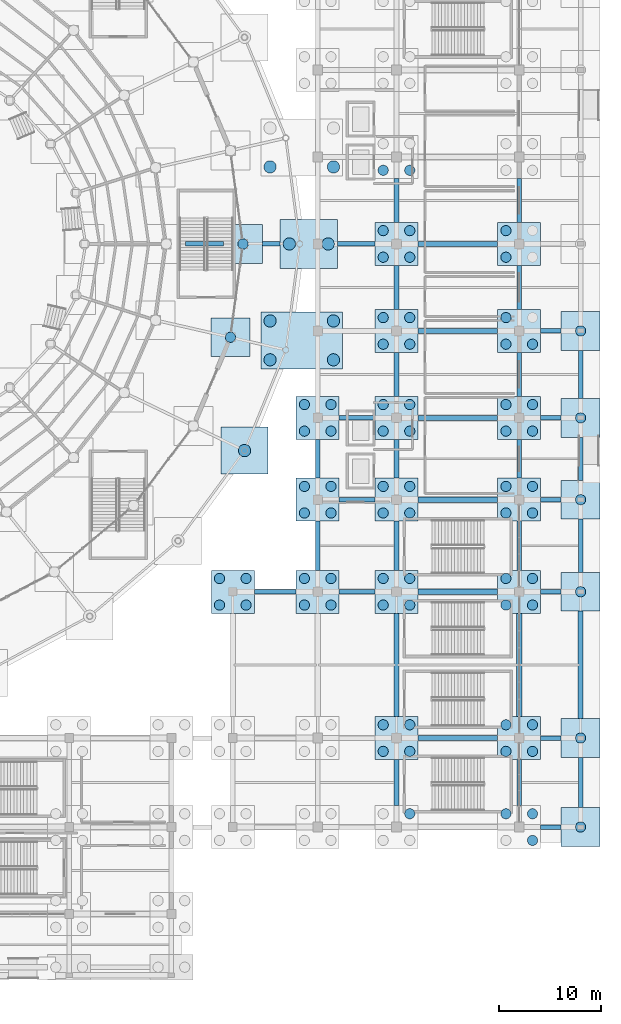
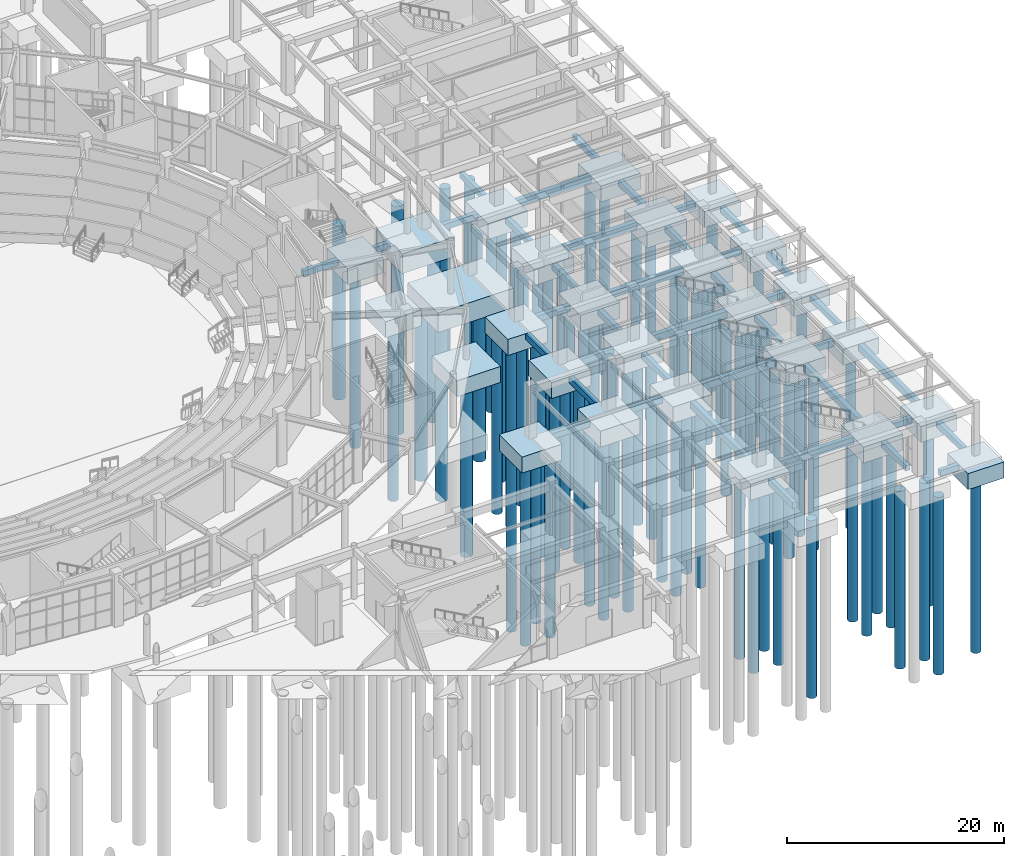
# One storey, part 6 of 121: 84 piles, 67 footings.
"""IFC4 building model written with IfcOpenShell, lengths in metres."""

from ifc_helpers import new_model, si_unit, direction, frame, origin, origin_2d, place, context, subcontext, project, spatial, rectangle, circle, extrude, material, material_profile, profile_set, type_object, element, save


model = new_model("IFC4")

# Units and contexts
model_context = context("Model", 3, precision=1e-05, world=origin(), true_north=direction((0.0, 1.0)))
body_context = subcontext(model_context, "Body", "Model", "MODEL_VIEW")
ifc_project = project(units=[si_unit("LENGTHUNIT", "METRE"), si_unit("AREAUNIT", "SQUARE_METRE"), si_unit("VOLUMEUNIT", "CUBIC_METRE"), si_unit("PLANEANGLEUNIT", "RADIAN"), si_unit("MASSUNIT", "GRAM", prefix="KILO")], contexts=[model_context])

# Site, building, storey
site_placement = place(None, origin())
site = spatial("IfcSite", under=ifc_project, at=site_placement, CompositionType="ELEMENT")
building_placement = place(site_placement, origin())
building = spatial("IfcBuilding", under=site, at=building_placement, Name="Cuetzalor Civic Arena", CompositionType="ELEMENT")
storey_placement = place(building_placement, origin())
storey = spatial("IfcBuildingStorey", under=building, at=storey_placement, Name="L00", CompositionType="ELEMENT", Elevation=0.0)

# Piles
ifc_material_1 = material(Name="Concrete C40/50", Category="concrete")
ifc_material_profile_1 = material_profile(ifc_material_1, circle(Radius=0.5, at=origin_2d()), Name="BORED PILE D1000")
ifc_profile_set_1 = profile_set([ifc_material_profile_1], Name="Concrete C40/50")
pile_type_1 = type_object("IfcPileType", Name="BoredPile_D1000", PredefinedType="BORED", material=ifc_profile_set_1)
for number, where, z_axis, x_axis, name in (
    (1, (65.300048828125, -55.699951171875, -2.050048828125), (0.0, 0.0, -1.0), (1.0, 0.0, 0.0), "Bored Pile 0115"),
    (2, (74.699951171875, -55.699951171875, -2.050048828125), (0.0, 0.0, -1.0), (1.0, 0.0, 0.0), "Bored Pile 0117"),
    (3, (77.300048828125, -58.300048828125, -2.050048828125), (0.0, 0.0, -1.0), (1.0, 0.0, 0.0), "Bored Pile 0118"),
    (4, (77.300048828125, -55.699951171875, -2.050048828125), (0.0, 0.0, -1.0), (1.0, 0.0, 0.0), "Bored Pile 0119"),
    (5, (82.0, -57.0, -2.050048828125), (0.0, 0.0, -1.0), (1.0, 0.0, 0.0), "Bored Pile 0120"),
    (6, (62.699951171875, -49.60009765625, -2.050048828125), (0.0, 0.0, -1.0), (1.0, 0.0, 0.0), "Bored Pile 0170"),
    (7, (62.699951171875, -47.0, -2.050048828125), (0.0, 0.0, -1.0), (1.0, 0.0, 0.0), "Bored Pile 0171"),
    (8, (65.300048828125, -49.60009765625, -2.050048828125), (0.0, 0.0, -1.0), (1.0, 0.0, 0.0), "Bored Pile 0172"),
    (9, (65.300048828125, -47.0, -2.050048828125), (0.0, 0.0, -1.0), (1.0, 0.0, 0.0), "Bored Pile 0173"),
    (10, (74.699951171875, -49.60009765625, -2.050048828125), (0.0, 0.0, -1.0), (1.0, 0.0, 0.0), "Bored Pile 0174"),
    (11, (74.699951171875, -47.0, -2.050048828125), (0.0, 0.0, -1.0), (1.0, 0.0, 0.0), "Bored Pile 0175"),
    (12, (77.300048828125, -49.60009765625, -2.050048828125), (0.0, 0.0, -1.0), (1.0, 0.0, 0.0), "Bored Pile 0176"),
    (13, (77.300048828125, -47.0, -2.050048828125), (0.0, 0.0, -1.0), (1.0, 0.0, 0.0), "Bored Pile 0177"),
    (14, (82.0, -48.300048828125, -2.050048828125), (0.0, 0.0, -1.0), (1.0, 0.0, 0.0), "Bored Pile 0178"),
    (15, (46.699951171875, -35.300048828125, -2.050048828125), (0.0, 0.0, -1.0), (1.0, 0.0, 0.0), "Bored Pile 0215"),
    (16, (46.699951171875, -32.699951171875, -2.050048828125), (0.0, 0.0, -1.0), (1.0, 0.0, 0.0), "Bored Pile 0216"),
    (17, (49.300048828125, -35.300048828125, -2.050048828125), (0.0, 0.0, -1.0), (1.0, 0.0, 0.0), "Bored Pile 0217"),
    (18, (49.300048828125, -32.699951171875, -2.050048828125), (0.0, 0.0, -1.0), (1.0, 0.0, 0.0), "Bored Pile 0218"),
    (19, (55.0, -35.300048828125, -2.050048828125), (0.0, 0.0, -1.0), (1.0, 0.0, 0.0), "Bored Pile 0219"),
    (20, (55.0, -32.699951171875, -2.050048828125), (0.0, 0.0, -1.0), (1.0, 0.0, 0.0), "Bored Pile 0220"),
    (21, (57.60009765625, -35.300048828125, -2.050048828125), (0.0, 0.0, -1.0), (1.0, 0.0, 0.0), "Bored Pile 0221"),
    (22, (57.60009765625, -32.699951171875, -2.050048828125), (0.0, 0.0, -1.0), (1.0, 0.0, 0.0), "Bored Pile 0222"),
    (23, (62.699951171875, -35.300048828125, -2.050048828125), (0.0, 0.0, -1.0), (1.0, 0.0, 0.0), "Bored Pile 0223"),
    (24, (62.699951171875, -32.699951171875, -2.050048828125), (0.0, 0.0, -1.0), (1.0, 0.0, 0.0), "Bored Pile 0224"),
    (25, (65.300048828125, -35.300048828125, -2.050048828125), (0.0, 0.0, -1.0), (1.0, 0.0, 0.0), "Bored Pile 0225"),
    (26, (65.300048828125, -32.699951171875, -2.050048828125), (0.0, 0.0, -1.0), (1.0, 0.0, 0.0), "Bored Pile 0226"),
    (27, (74.699951171875, -35.300048828125, -2.050048828125), (0.0, 0.0, -1.0), (1.0, 0.0, 0.0), "Bored Pile 0227"),
    (28, (74.699951171875, -32.699951171875, -2.050048828125), (0.0, 0.0, -1.0), (1.0, 0.0, 0.0), "Bored Pile 0228"),
    (29, (77.300048828125, -35.300048828125, -2.050048828125), (0.0, 0.0, -1.0), (1.0, 0.0, 0.0), "Bored Pile 0229"),
    (30, (77.300048828125, -32.699951171875, -2.050048828125), (0.0, 0.0, -1.0), (1.0, 0.0, 0.0), "Bored Pile 0230"),
    (31, (82.0, -34.0, -2.050048828125), (0.0, 0.0, -1.0), (1.0, 0.0, 0.0), "Bored Pile 0231"),
    (32, (55.0, -26.300048828125, -2.050048828125), (0.0, 0.0, -1.0), (1.0, 0.0, 0.0), "Bored Pile 0258"),
    (33, (55.0, -23.699951171875, -2.050048828125), (0.0, 0.0, -1.0), (1.0, 0.0, 0.0), "Bored Pile 0259"),
    (34, (57.60009765625, -26.300048828125, -2.050048828125), (0.0, 0.0, -1.0), (1.0, 0.0, 0.0), "Bored Pile 0260"),
    (35, (57.60009765625, -23.699951171875, -2.050048828125), (0.0, 0.0, -1.0), (1.0, 0.0, 0.0), "Bored Pile 0261"),
    (36, (62.699951171875, -26.300048828125, -2.050048828125), (0.0, 0.0, -1.0), (1.0, 0.0, 0.0), "Bored Pile 0262"),
    (37, (62.699951171875, -23.699951171875, -2.050048828125), (0.0, 0.0, -1.0), (1.0, 0.0, 0.0), "Bored Pile 0263"),
    (38, (65.300048828125, -26.300048828125, -2.050048828125), (0.0, 0.0, -1.0), (1.0, 0.0, 0.0), "Bored Pile 0264"),
    (39, (65.300048828125, -23.699951171875, -2.050048828125), (0.0, 0.0, -1.0), (1.0, 0.0, 0.0), "Bored Pile 0265"),
    (40, (74.699951171875, -26.300048828125, -2.050048828125), (0.0, 0.0, -1.0), (1.0, 0.0, 0.0), "Bored Pile 0266"),
    (41, (74.699951171875, -23.699951171875, -2.050048828125), (0.0, 0.0, -1.0), (1.0, 0.0, 0.0), "Bored Pile 0267"),
    (42, (77.300048828125, -26.300048828125, -2.050048828125), (0.0, 0.0, -1.0), (1.0, 0.0, 0.0), "Bored Pile 0268"),
    (43, (77.300048828125, -23.699951171875, -2.050048828125), (0.0, 0.0, -1.0), (1.0, 0.0, 0.0), "Bored Pile 0269"),
    (44, (82.0, -25.0, -2.050048828125), (0.0, 0.0, -1.0), (1.0, 0.0, 0.0), "Bored Pile 0270"),
    (45, (55.0, -18.300048828125, -2.050048828125), (0.0, 0.0, -1.0), (1.0, 0.0, 0.0), "Bored Pile 0297"),
    (46, (55.0, -15.699951171875, -2.050048828125), (0.0, 0.0, -1.0), (1.0, 0.0, 0.0), "Bored Pile 0298"),
    (47, (57.60009765625, -18.300048828125, -2.050048828125), (0.0, 0.0, -1.0), (1.0, 0.0, 0.0), "Bored Pile 0299"),
    (48, (57.60009765625, -15.699951171875, -2.050048828125), (0.0, 0.0, -1.0), (1.0, 0.0, 0.0), "Bored Pile 0300"),
    (49, (62.699951171875, -18.300048828125, -2.050048828125), (0.0, 0.0, -1.0), (1.0, 0.0, 0.0), "Bored Pile 0301"),
    (50, (62.699951171875, -15.699951171875, -2.050048828125), (0.0, 0.0, -1.0), (1.0, 0.0, 0.0), "Bored Pile 0302"),
    (51, (65.300048828125, -18.300048828125, -2.050048828125), (0.0, 0.0, -1.0), (1.0, 0.0, 0.0), "Bored Pile 0303"),
    (52, (65.300048828125, -15.699951171875, -2.050048828125), (0.0, 0.0, -1.0), (1.0, 0.0, 0.0), "Bored Pile 0304"),
    (53, (74.699951171875, -18.300048828125, -2.050048828125), (0.0, 0.0, -1.0), (1.0, 0.0, 0.0), "Bored Pile 0305"),
    (54, (74.699951171875, -15.699951171875, -2.050048828125), (0.0, 0.0, -1.0), (1.0, 0.0, 0.0), "Bored Pile 0306"),
    (55, (77.300048828125, -18.300048828125, -2.050048828125), (0.0, 0.0, -1.0), (1.0, 0.0, 0.0), "Bored Pile 0307"),
    (56, (77.300048828125, -15.699951171875, -2.050048828125), (0.0, 0.0, -1.0), (1.0, 0.0, 0.0), "Bored Pile 0308"),
    (57, (82.0, -17.0, -2.050048828125), (0.0, 0.0, -1.0), (1.0, 0.0, 0.0), "Bored Pile 0309"),
    (58, (47.771484375, -9.123291015625, -2.050048828125), (0.0, 0.0, -1.0), (1.0, 0.0, 0.0), "Bored Pile 0325"),
    (59, (62.699951171875, -9.800048828125, -2.050048828125), (0.0, 0.0, -1.0), (1.0, 0.0, 0.0), "Bored Pile 0335"),
    (60, (62.699951171875, -7.199951171875, -2.050048828125), (0.0, 0.0, -1.0), (1.0, 0.0, 0.0), "Bored Pile 0336"),
    (61, (65.300048828125, -9.800048828125, -2.050048828125), (0.0, 0.0, -1.0), (1.0, 0.0, 0.0), "Bored Pile 0337"),
    (62, (65.300048828125, -7.199951171875, -2.050048828125), (0.0, 0.0, -1.0), (1.0, 0.0, 0.0), "Bored Pile 0338"),
    (63, (74.699951171875, -9.800048828125, -2.050048828125), (0.0, 0.0, -1.0), (1.0, 0.0, 0.0), "Bored Pile 0339"),
    (64, (74.699951171875, -7.199951171875, -2.050048828125), (0.0, 0.0, -1.0), (1.0, 0.0, 0.0), "Bored Pile 0340"),
    (65, (77.300048828125, -9.800048828125, -2.050048828125), (0.0, 0.0, -1.0), (1.0, 0.0, 0.0), "Bored Pile 0341"),
    (66, (82.0, -8.5, -2.050048828125), (0.0, 0.0, -1.0), (1.0, 0.0, 0.0), "Bored Pile 0343"),
    (67, (49.0, 0.0, -2.050048828125), (0.0, 0.0, -1.0), (1.0, 0.0, 0.0), "Bored Pile 0364"),
    (68, (62.699951171875, -1.300048828125, -2.050048828125), (0.0, 0.0, -1.0), (1.0, 0.0, 0.0), "Bored Pile 0367"),
    (69, (62.699951171875, 1.300048828125, -2.050048828125), (0.0, 0.0, -1.0), (1.0, 0.0, 0.0), "Bored Pile 0368"),
    (70, (65.300048828125, -1.300048828125, -2.050048828125), (0.0, 0.0, -1.0), (1.0, 0.0, 0.0), "Bored Pile 0369"),
    (71, (65.300048828125, 1.300048828125, -2.050048828125), (0.0, 0.0, -1.0), (1.0, 0.0, 0.0), "Bored Pile 0370"),
    (72, (74.699951171875, -1.300048828125, -2.050048828125), (0.0, 0.0, -1.0), (1.0, 0.0, 0.0), "Bored Pile 0371"),
    (73, (74.699951171875, 1.300048828125, -2.050048828125), (0.0, 0.0, -1.0), (1.0, 0.0, 0.0), "Bored Pile 0372"),
    (74, (62.699951171875, 7.199951171875, -2.050048828125), (0.0, 0.0, -1.0), (1.0, 0.0, 0.0), "Bored Pile 0389"),
    (75, (65.300048828125, 7.199951171875, -2.050048828125), (0.0, 0.0, -1.0), (1.0, 0.0, 0.0), "Bored Pile 0391"),
):
    element("IfcPile", number, at=place(storey_placement, frame(where, z_axis=z_axis, x_axis=x_axis)), inside=storey, type_object=pile_type_1, Name=name, PredefinedType="BORED", context=body_context, shape_type="SweptSolid", body=[
        extrude(circle(Radius=0.5, at=origin_2d()), origin(), (0.0, 0.0, 1.0), 19.949951171875),
    ])
ifc_material_2 = material(Name="Concrete C40/50", Category="concrete")
ifc_material_profile_2 = material_profile(ifc_material_2, circle(Radius=0.60009765625, at=origin_2d()), Name="BORED PILE D1200")
ifc_profile_set_2 = profile_set([ifc_material_profile_2], Name="Concrete C40/50")
pile_type_2 = type_object("IfcPileType", Name="BoredPile_D1200", PredefinedType="BORED", material=ifc_profile_set_2)
pile_placement = place(storey_placement, frame((49.14794921875, -20.197265625, -2.050048828125), z_axis=(0.0, 0.0, -1.0), x_axis=(1.0, 0.0, 0.0)))
element("IfcPile", 76, at=pile_placement, inside=storey, type_object=pile_type_2, Name="Bored Pile 0279", PredefinedType="BORED", context=body_context, shape_type="SweptSolid", body=[
    extrude(circle(Radius=0.60009765625, at=origin_2d()), origin(), (0.0, 0.0, 1.0), 19.949951171875),
])
for number, where, z_axis, x_axis, name in (
    (77, (51.64111328125, -11.3291015625, -2.449951171875), (0.0, 0.0, -1.0), (1.0, 0.0, 0.0), "Bored Pile 0318"),
    (78, (51.64111328125, -7.529052734375, -2.449951171875), (0.0, 0.0, -1.0), (1.0, 0.0, 0.0), "Bored Pile 0319"),
    (79, (57.841064453125, -11.3291015625, -2.449951171875), (0.0, 0.0, -1.0), (1.0, 0.0, 0.0), "Bored Pile 0320"),
    (80, (57.841064453125, -7.529052734375, -2.449951171875), (0.0, 0.0, -1.0), (1.0, 0.0, 0.0), "Bored Pile 0321"),
    (81, (53.52490234375, 0.0, -2.449951171875), (0.0, 0.0, -1.0), (1.0, 0.0, 0.0), "Bored Pile 0365"),
    (82, (57.324951171875, 0.0, -2.449951171875), (0.0, 0.0, -1.0), (1.0, 0.0, 0.0), "Bored Pile 0366"),
    (83, (51.64111328125, 7.529052734375, -2.449951171875), (0.0, 0.0, -1.0), (1.0, 0.0, 0.0), "Bored Pile 0406"),
    (84, (57.841064453125, 7.529052734375, -2.449951171875), (0.0, 0.0, -1.0), (1.0, 0.0, 0.0), "Bored Pile 0408"),
):
    element("IfcPile", number, at=place(storey_placement, frame(where, z_axis=z_axis, x_axis=x_axis)), inside=storey, type_object=pile_type_2, Name=name, PredefinedType="BORED", context=body_context, shape_type="SweptSolid", body=[
        extrude(circle(Radius=0.60009765625, at=origin_2d()), origin(), (0.0, 0.0, 1.0), 19.550048828125),
    ])

# Footings
ifc_material_3 = material(Name="Concrete C40/50", Category="concrete")
footing_type_1 = type_object("IfcFootingType", Name="CombinedPileCap_A", PredefinedType="PILE_CAP", material=ifc_material_3)
for number, where, z_axis, x_axis, name in (
    (85, (64.0, -48.300048828125, -2.14990234375), (0.0, 0.0, 1.0), (1.0, 0.0, 0.0), "Combined Pile Cap 050"),
    (86, (76.0, -48.300048828125, -2.14990234375), (0.0, 0.0, 1.0), (1.0, 0.0, 0.0), "Combined Pile Cap 051"),
    (87, (48.0, -34.0, -2.14990234375), (0.0, 0.0, 1.0), (1.0, 0.0, 0.0), "Combined Pile Cap 070"),
    (88, (56.300048828125, -34.0, -2.14990234375), (0.0, 0.0, 1.0), (1.0, 0.0, 0.0), "Combined Pile Cap 071"),
    (89, (64.0, -34.0, -2.14990234375), (0.0, 0.0, 1.0), (1.0, 0.0, 0.0), "Combined Pile Cap 072"),
    (90, (76.0, -34.0, -2.14990234375), (0.0, 0.0, 1.0), (1.0, 0.0, 0.0), "Combined Pile Cap 073"),
    (91, (56.300048828125, -25.0, -2.14990234375), (0.0, 0.0, 1.0), (1.0, 0.0, 0.0), "Combined Pile Cap 092"),
    (92, (64.0, -25.0, -2.14990234375), (0.0, 0.0, 1.0), (1.0, 0.0, 0.0), "Combined Pile Cap 093"),
    (93, (76.0, -25.0, -2.14990234375), (0.0, 0.0, 1.0), (1.0, 0.0, 0.0), "Combined Pile Cap 094"),
    (94, (56.300048828125, -17.0, -2.14990234375), (0.0, 0.0, 1.0), (1.0, 0.0, 0.0), "Combined Pile Cap 113"),
    (95, (64.0, -17.0, -2.14990234375), (0.0, 0.0, 1.0), (1.0, 0.0, 0.0), "Combined Pile Cap 114"),
    (96, (76.0, -17.0, -2.14990234375), (0.0, 0.0, 1.0), (1.0, 0.0, 0.0), "Combined Pile Cap 115"),
    (97, (64.0, -8.5, -2.14990234375), (0.0, 0.0, 1.0), (1.0, 0.0, 0.0), "Combined Pile Cap 130"),
    (98, (76.0, -8.5, -2.14990234375), (0.0, 0.0, 1.0), (1.0, 0.0, 0.0), "Combined Pile Cap 131"),
    (99, (64.0, 0.0, -2.14990234375), (0.0, 0.0, 1.0), (1.0, 0.0, 0.0), "Combined Pile Cap 148"),
    (100, (76.0, 0.0, -2.14990234375), (0.0, 0.0, 1.0), (1.0, 0.0, 0.0), "Combined Pile Cap 149"),
):
    element("IfcFooting", number, at=place(storey_placement, frame(where, z_axis=z_axis, x_axis=x_axis)), inside=storey, type_object=footing_type_1, Name=name, PredefinedType="PILE_CAP", context=body_context, shape_type="SweptSolid", body=[
        extrude(rectangle(XDim=4.199951171875, YDim=4.199951171875, at=origin_2d()), origin(), (0.0, 0.0, 1.0), 1.800048828125),
    ])
ifc_material_4 = material(Name="Concrete C40/50", Category="concrete")
footing_type_2 = type_object("IfcFootingType", Name="CombinedPileCap_B", PredefinedType="PILE_CAP", material=ifc_material_4)
footing_1_placement = place(storey_placement, frame((49.14794921875, -20.197265625, -2.14990234375), z_axis=(0.0, 0.0, 1.0), x_axis=(1.0, 0.0, 0.0)))
element("IfcFooting", 101, at=footing_1_placement, inside=storey, type_object=footing_type_2, Name="Combined Pile Cap 104", PredefinedType="PILE_CAP", context=body_context, shape_type="SweptSolid", body=[
    extrude(rectangle(XDim=4.60009765625, YDim=4.60009765625, at=origin_2d()), origin(), (0.0, 0.0, 1.0), 1.800048828125),
])
ifc_material_5 = material(Name="Concrete C40/50", Category="concrete")
footing_type_3 = type_object("IfcFootingType", Name="CombinedPileCap_D", PredefinedType="PILE_CAP", material=ifc_material_5)
footing_2_placement = place(storey_placement, frame((55.425048828125, 0.0, -2.5498046875), z_axis=(0.0, 0.0, 1.0), x_axis=(1.0, 0.0, 0.0)))
element("IfcFooting", 102, at=footing_2_placement, inside=storey, type_object=footing_type_3, Name="Combined Pile Cap 147", PredefinedType="PILE_CAP", context=body_context, shape_type="SweptSolid", body=[
    extrude(rectangle(XDim=5.60009765625, YDim=4.800048828125, at=origin_2d()), origin(), (0.0, 0.0, 1.0), 2.199951171875),
])
ifc_material_6 = material(Name="Concrete C40/50", Category="concrete")
footing_type_4 = type_object("IfcFootingType", Name="CombinedPileCap_J", PredefinedType="PILE_CAP", material=ifc_material_6)
footing_3_placement = place(storey_placement, frame((54.7412109375, -9.42919921875, -2.5498046875), z_axis=(0.0, 0.0, 1.0), x_axis=(1.0, 0.0, 0.0)))
element("IfcFooting", 103, at=footing_3_placement, inside=storey, type_object=footing_type_4, Name="Combined Pile Cap 122", PredefinedType="PILE_CAP", context=body_context, shape_type="SweptSolid", body=[
    extrude(rectangle(XDim=8.0, YDim=5.60009765625, at=origin_2d()), origin(), (0.0, 0.0, 1.0), 2.199951171875),
])
ifc_material_7 = material(Name="Concrete C40/50", Category="concrete")
footing_type_5 = type_object("IfcFootingType", Name="CombinedPileCap_M", PredefinedType="PILE_CAP", material=ifc_material_7)
for number, where, z_axis, x_axis, name in (
    (104, (82.0, -57.0, -2.14990234375), (0.0, 0.0, 1.0), (1.0, 0.0, 0.0), "Combined Pile Cap 036"),
    (105, (82.0, -48.300048828125, -2.14990234375), (0.0, 0.0, 1.0), (1.0, 0.0, 0.0), "Combined Pile Cap 052"),
    (106, (82.0, -34.0, -2.14990234375), (0.0, 0.0, 1.0), (1.0, 0.0, 0.0), "Combined Pile Cap 074"),
    (107, (82.0, -25.0, -2.14990234375), (0.0, 0.0, 1.0), (1.0, 0.0, 0.0), "Combined Pile Cap 095"),
    (108, (82.0, -17.0, -2.14990234375), (0.0, 0.0, 1.0), (1.0, 0.0, 0.0), "Combined Pile Cap 116"),
    (109, (47.771484375, -9.123291015625, -2.14990234375), (0.0, 0.0, 1.0), (1.0, 0.0, 0.0), "Combined Pile Cap 126"),
    (110, (82.0, -8.5, -2.14990234375), (0.0, 0.0, 1.0), (1.0, 0.0, 0.0), "Combined Pile Cap 132"),
    (111, (49.0, 0.0, -2.14990234375), (0.0, 0.0, 1.0), (1.0, 0.0, 0.0), "Combined Pile Cap 146"),
):
    element("IfcFooting", number, at=place(storey_placement, frame(where, z_axis=z_axis, x_axis=x_axis)), inside=storey, type_object=footing_type_5, Name=name, PredefinedType="PILE_CAP", context=body_context, shape_type="SweptSolid", body=[
        extrude(rectangle(XDim=3.800048828125, YDim=3.800048828125, at=origin_2d()), origin(), (0.0, 0.0, 1.0), 1.800048828125),
    ])
ifc_material_8 = material(Name="Concrete C40/50", Category="concrete")
ifc_material_profile_3 = material_profile(ifc_material_8, rectangle(XDim=0.449951171875, YDim=0.64990234375, at=origin_2d()), Name="RC 450x650")
ifc_profile_set_3 = profile_set([ifc_material_profile_3], Name="Concrete C40/50")
footing_type_6 = type_object("IfcFootingType", Name="GroundTieBeam_450x650", PredefinedType="FOOTING_BEAM", material=ifc_profile_set_3)
footing_4_placement = place(storey_placement, frame((64.0, -54.89990234375, -0.675048828125), z_axis=(0.0, 1.0, 0.0), x_axis=(-1.0, 0.0, 0.0)))
element("IfcFooting", 112, at=footing_4_placement, inside=storey, type_object=footing_type_6, Name="Ground Tie Beam 062", PredefinedType="FOOTING_BEAM", context=body_context, shape_type="SweptSolid", body=[
    extrude(rectangle(XDim=0.449951171875, YDim=0.64990234375, at=origin_2d()), origin(), (0.0, 0.0, 1.0), 4.5),
])
footing_5_placement = place(storey_placement, frame((78.10009765625, -57.0, -0.675048828125), z_axis=(1.0, 0.0, 0.0), x_axis=(0.0, 1.0, 0.0)))
element("IfcFooting", 113, at=footing_5_placement, inside=storey, type_object=footing_type_6, Name="Ground Tie Beam 063", PredefinedType="FOOTING_BEAM", context=body_context, shape_type="SweptSolid", body=[
    extrude(rectangle(XDim=0.449951171875, YDim=0.64990234375, at=origin_2d()), origin(), (0.0, 0.0, 1.0), 2.0),
])
footing_6_placement = place(storey_placement, frame((76.0, -54.89990234375, -0.675048828125), z_axis=(0.0, 1.0, 0.0), x_axis=(-1.0, 0.0, 0.0)))
element("IfcFooting", 114, at=footing_6_placement, inside=storey, type_object=footing_type_6, Name="Ground Tie Beam 064", PredefinedType="FOOTING_BEAM", context=body_context, shape_type="SweptSolid", body=[
    extrude(rectangle(XDim=0.449951171875, YDim=0.64990234375, at=origin_2d()), origin(), (0.0, 0.0, 1.0), 4.5),
])
footing_7_placement = place(storey_placement, frame((82.0, -55.10009765625, -0.675048828125), z_axis=(0.0, 1.0, 0.0), x_axis=(-1.0, 0.0, 0.0)))
element("IfcFooting", 115, at=footing_7_placement, inside=storey, type_object=footing_type_6, Name="Ground Tie Beam 065", PredefinedType="FOOTING_BEAM", context=body_context, shape_type="SweptSolid", body=[
    extrude(rectangle(XDim=0.449951171875, YDim=0.64990234375, at=origin_2d()), origin(), (0.0, 0.0, 1.0), 4.900146484375),
])
footing_8_placement = place(storey_placement, frame((78.10009765625, -48.300048828125, -0.675048828125), z_axis=(1.0, 0.0, 0.0), x_axis=(0.0, 1.0, 0.0)))
element("IfcFooting", 116, at=footing_8_placement, inside=storey, type_object=footing_type_6, Name="Ground Tie Beam 087", PredefinedType="FOOTING_BEAM", context=body_context, shape_type="SweptSolid", body=[
    extrude(rectangle(XDim=0.449951171875, YDim=0.64990234375, at=origin_2d()), origin(), (0.0, 0.0, 1.0), 2.0),
])
footing_9_placement = place(storey_placement, frame((50.10009765625, -34.0, -0.675048828125), z_axis=(1.0, 0.0, 0.0), x_axis=(0.0, 1.0, 0.0)))
element("IfcFooting", 117, at=footing_9_placement, inside=storey, type_object=footing_type_6, Name="Ground Tie Beam 100", PredefinedType="FOOTING_BEAM", context=body_context, shape_type="SweptSolid", body=[
    extrude(rectangle(XDim=0.449951171875, YDim=0.64990234375, at=origin_2d()), origin(), (0.0, 0.0, 1.0), 4.099853515625),
])
footing_10_placement = place(storey_placement, frame((58.39990234375, -34.0, -0.675048828125), z_axis=(1.0, 0.0, 0.0), x_axis=(0.0, 1.0, 0.0)))
element("IfcFooting", 118, at=footing_10_placement, inside=storey, type_object=footing_type_6, Name="Ground Tie Beam 101", PredefinedType="FOOTING_BEAM", context=body_context, shape_type="SweptSolid", body=[
    extrude(rectangle(XDim=0.449951171875, YDim=0.64990234375, at=origin_2d()), origin(), (0.0, 0.0, 1.0), 3.5),
])
for number, where, z_axis, x_axis, name in (
    (119, (56.300048828125, -31.89990234375, -0.675048828125), (0.0, 1.0, 0.0), (-1.0, 0.0, 0.0), "Ground Tie Beam 102"),
    (120, (64.0, -31.89990234375, -0.675048828125), (0.0, 1.0, 0.0), (-1.0, 0.0, 0.0), "Ground Tie Beam 104"),
):
    element("IfcFooting", number, at=place(storey_placement, frame(where, z_axis=z_axis, x_axis=x_axis)), inside=storey, type_object=footing_type_6, Name=name, PredefinedType="FOOTING_BEAM", context=body_context, shape_type="SweptSolid", body=[
        extrude(rectangle(XDim=0.449951171875, YDim=0.64990234375, at=origin_2d()), origin(), (0.0, 0.0, 1.0), 4.7998046875),
    ])
footing_11_placement = place(storey_placement, frame((78.10009765625, -34.0, -0.675048828125), z_axis=(1.0, 0.0, 0.0), x_axis=(0.0, 1.0, 0.0)))
element("IfcFooting", 121, at=footing_11_placement, inside=storey, type_object=footing_type_6, Name="Ground Tie Beam 105", PredefinedType="FOOTING_BEAM", context=body_context, shape_type="SweptSolid", body=[
    extrude(rectangle(XDim=0.449951171875, YDim=0.64990234375, at=origin_2d()), origin(), (0.0, 0.0, 1.0), 2.0),
])
footing_12_placement = place(storey_placement, frame((76.0, -31.89990234375, -0.675048828125), z_axis=(0.0, 1.0, 0.0), x_axis=(-1.0, 0.0, 0.0)))
element("IfcFooting", 122, at=footing_12_placement, inside=storey, type_object=footing_type_6, Name="Ground Tie Beam 106", PredefinedType="FOOTING_BEAM", context=body_context, shape_type="SweptSolid", body=[
    extrude(rectangle(XDim=0.449951171875, YDim=0.64990234375, at=origin_2d()), origin(), (0.0, 0.0, 1.0), 4.7998046875),
])
footing_13_placement = place(storey_placement, frame((82.0, -32.10009765625, -0.675048828125), z_axis=(0.0, 1.0, 0.0), x_axis=(-1.0, 0.0, 0.0)))
element("IfcFooting", 123, at=footing_13_placement, inside=storey, type_object=footing_type_6, Name="Ground Tie Beam 107", PredefinedType="FOOTING_BEAM", context=body_context, shape_type="SweptSolid", body=[
    extrude(rectangle(XDim=0.449951171875, YDim=0.64990234375, at=origin_2d()), origin(), (0.0, 0.0, 1.0), 5.2001953125),
])
footing_14_placement = place(storey_placement, frame((58.39990234375, -25.0, -0.675048828125), z_axis=(1.0, 0.0, 0.0), x_axis=(0.0, 1.0, 0.0)))
element("IfcFooting", 124, at=footing_14_placement, inside=storey, type_object=footing_type_6, Name="Ground Tie Beam 116", PredefinedType="FOOTING_BEAM", context=body_context, shape_type="SweptSolid", body=[
    extrude(rectangle(XDim=0.449951171875, YDim=0.64990234375, at=origin_2d()), origin(), (0.0, 0.0, 1.0), 3.5),
])
for number, where, z_axis, x_axis, name in (
    (125, (56.300048828125, -22.89990234375, -0.675048828125), (0.0, 1.0, 0.0), (-1.0, 0.0, 0.0), "Ground Tie Beam 117"),
    (126, (64.0, -22.89990234375, -0.675048828125), (0.0, 1.0, 0.0), (-1.0, 0.0, 0.0), "Ground Tie Beam 119"),
):
    element("IfcFooting", number, at=place(storey_placement, frame(where, z_axis=z_axis, x_axis=x_axis)), inside=storey, type_object=footing_type_6, Name=name, PredefinedType="FOOTING_BEAM", context=body_context, shape_type="SweptSolid", body=[
        extrude(rectangle(XDim=0.449951171875, YDim=0.64990234375, at=origin_2d()), origin(), (0.0, 0.0, 1.0), 3.7998046875),
    ])
footing_15_placement = place(storey_placement, frame((78.10009765625, -25.0, -0.675048828125), z_axis=(1.0, 0.0, 0.0), x_axis=(0.0, 1.0, 0.0)))
element("IfcFooting", 127, at=footing_15_placement, inside=storey, type_object=footing_type_6, Name="Ground Tie Beam 120", PredefinedType="FOOTING_BEAM", context=body_context, shape_type="SweptSolid", body=[
    extrude(rectangle(XDim=0.449951171875, YDim=0.64990234375, at=origin_2d()), origin(), (0.0, 0.0, 1.0), 2.0),
])
footing_16_placement = place(storey_placement, frame((76.0, -22.89990234375, -0.675048828125), z_axis=(0.0, 1.0, 0.0), x_axis=(-1.0, 0.0, 0.0)))
element("IfcFooting", 128, at=footing_16_placement, inside=storey, type_object=footing_type_6, Name="Ground Tie Beam 121", PredefinedType="FOOTING_BEAM", context=body_context, shape_type="SweptSolid", body=[
    extrude(rectangle(XDim=0.449951171875, YDim=0.64990234375, at=origin_2d()), origin(), (0.0, 0.0, 1.0), 3.7998046875),
])
footing_17_placement = place(storey_placement, frame((82.0, -23.10009765625, -0.675048828125), z_axis=(0.0, 1.0, 0.0), x_axis=(-1.0, 0.0, 0.0)))
element("IfcFooting", 129, at=footing_17_placement, inside=storey, type_object=footing_type_6, Name="Ground Tie Beam 122", PredefinedType="FOOTING_BEAM", context=body_context, shape_type="SweptSolid", body=[
    extrude(rectangle(XDim=0.449951171875, YDim=0.64990234375, at=origin_2d()), origin(), (0.0, 0.0, 1.0), 4.2001953125),
])
footing_18_placement = place(storey_placement, frame((58.39990234375, -17.0, -0.675048828125), z_axis=(1.0, 0.0, 0.0), x_axis=(0.0, 1.0, 0.0)))
element("IfcFooting", 130, at=footing_18_placement, inside=storey, type_object=footing_type_6, Name="Ground Tie Beam 129", PredefinedType="FOOTING_BEAM", context=body_context, shape_type="SweptSolid", body=[
    extrude(rectangle(XDim=0.449951171875, YDim=0.64990234375, at=origin_2d()), origin(), (0.0, 0.0, 1.0), 3.5),
])
footing_19_placement = place(storey_placement, frame((64.0, -14.89990234375, -0.675048828125), z_axis=(0.0, 1.0, 0.0), x_axis=(-1.0, 0.0, 0.0)))
element("IfcFooting", 131, at=footing_19_placement, inside=storey, type_object=footing_type_6, Name="Ground Tie Beam 131", PredefinedType="FOOTING_BEAM", context=body_context, shape_type="SweptSolid", body=[
    extrude(rectangle(XDim=0.449951171875, YDim=0.64990234375, at=origin_2d()), origin(), (0.0, 0.0, 1.0), 4.2998046875),
])
footing_20_placement = place(storey_placement, frame((78.10009765625, -17.0, -0.675048828125), z_axis=(1.0, 0.0, 0.0), x_axis=(0.0, 1.0, 0.0)))
element("IfcFooting", 132, at=footing_20_placement, inside=storey, type_object=footing_type_6, Name="Ground Tie Beam 132", PredefinedType="FOOTING_BEAM", context=body_context, shape_type="SweptSolid", body=[
    extrude(rectangle(XDim=0.449951171875, YDim=0.64990234375, at=origin_2d()), origin(), (0.0, 0.0, 1.0), 2.0),
])
footing_21_placement = place(storey_placement, frame((76.0, -14.89990234375, -0.675048828125), z_axis=(0.0, 1.0, 0.0), x_axis=(-1.0, 0.0, 0.0)))
element("IfcFooting", 133, at=footing_21_placement, inside=storey, type_object=footing_type_6, Name="Ground Tie Beam 133", PredefinedType="FOOTING_BEAM", context=body_context, shape_type="SweptSolid", body=[
    extrude(rectangle(XDim=0.449951171875, YDim=0.64990234375, at=origin_2d()), origin(), (0.0, 0.0, 1.0), 4.2998046875),
])
footing_22_placement = place(storey_placement, frame((82.0, -15.10009765625, -0.675048828125), z_axis=(0.0, 1.0, 0.0), x_axis=(-1.0, 0.0, 0.0)))
element("IfcFooting", 134, at=footing_22_placement, inside=storey, type_object=footing_type_6, Name="Ground Tie Beam 134", PredefinedType="FOOTING_BEAM", context=body_context, shape_type="SweptSolid", body=[
    extrude(rectangle(XDim=0.449951171875, YDim=0.64990234375, at=origin_2d()), origin(), (0.0, 0.0, 1.0), 4.7001953125),
])
footing_23_placement = place(storey_placement, frame((64.0, -6.39990234375, -0.675048828125), z_axis=(0.0, 1.0, 0.0), x_axis=(-1.0, 0.0, 0.0)))
element("IfcFooting", 135, at=footing_23_placement, inside=storey, type_object=footing_type_6, Name="Ground Tie Beam 141", PredefinedType="FOOTING_BEAM", context=body_context, shape_type="SweptSolid", body=[
    extrude(rectangle(XDim=0.449951171875, YDim=0.64990234375, at=origin_2d()), origin(), (0.0, 0.0, 1.0), 4.2998046875),
])
footing_24_placement = place(storey_placement, frame((78.10009765625, -8.5, -0.675048828125), z_axis=(1.0, 0.0, 0.0), x_axis=(0.0, 1.0, 0.0)))
element("IfcFooting", 136, at=footing_24_placement, inside=storey, type_object=footing_type_6, Name="Ground Tie Beam 142", PredefinedType="FOOTING_BEAM", context=body_context, shape_type="SweptSolid", body=[
    extrude(rectangle(XDim=0.449951171875, YDim=0.64990234375, at=origin_2d()), origin(), (0.0, 0.0, 1.0), 2.0),
])
footing_25_placement = place(storey_placement, frame((76.0, -6.39990234375, -0.675048828125), z_axis=(0.0, 1.0, 0.0), x_axis=(-1.0, 0.0, 0.0)))
element("IfcFooting", 137, at=footing_25_placement, inside=storey, type_object=footing_type_6, Name="Ground Tie Beam 143", PredefinedType="FOOTING_BEAM", context=body_context, shape_type="SweptSolid", body=[
    extrude(rectangle(XDim=0.449951171875, YDim=0.64990234375, at=origin_2d()), origin(), (0.0, 0.0, 1.0), 4.2998046875),
])
footing_26_placement = place(storey_placement, frame((43.39990234375, 0.0, -0.675048828125), z_axis=(1.0, 0.0, 0.0), x_axis=(0.0, 1.0, 0.0)))
element("IfcFooting", 138, at=footing_26_placement, inside=storey, type_object=footing_type_6, Name="Ground Tie Beam 155", PredefinedType="FOOTING_BEAM", context=body_context, shape_type="SweptSolid", body=[
    extrude(rectangle(XDim=0.449951171875, YDim=0.64990234375, at=origin_2d()), origin(), (0.0, 0.0, 1.0), 3.7001953125),
])
footing_27_placement = place(storey_placement, frame((50.89990234375, 0.0, -0.675048828125), z_axis=(1.0, 0.0, 0.0), x_axis=(0.0, 1.0, 0.0)))
element("IfcFooting", 139, at=footing_27_placement, inside=storey, type_object=footing_type_6, Name="Ground Tie Beam 156", PredefinedType="FOOTING_BEAM", context=body_context, shape_type="SweptSolid", body=[
    extrude(rectangle(XDim=0.449951171875, YDim=0.64990234375, at=origin_2d()), origin(), (0.0, 0.0, 1.0), 1.72509765625),
])
footing_28_placement = place(storey_placement, frame((58.22509765625, 0.0, -0.675048828125), z_axis=(1.0, 0.0, 0.0), x_axis=(0.0, 1.0, 0.0)))
element("IfcFooting", 140, at=footing_28_placement, inside=storey, type_object=footing_type_6, Name="Ground Tie Beam 157", PredefinedType="FOOTING_BEAM", context=body_context, shape_type="SweptSolid", body=[
    extrude(rectangle(XDim=0.449951171875, YDim=0.64990234375, at=origin_2d()), origin(), (0.0, 0.0, 1.0), 3.6748046875),
])
for number, where, z_axis, x_axis, name in (
    (141, (64.0, 2.10009765625, -0.675048828125), (0.0, 1.0, 0.0), (-1.0, 0.0, 0.0), "Ground Tie Beam 159"),
    (142, (76.0, 2.10009765625, -0.675048828125), (0.0, 1.0, 0.0), (-1.0, 0.0, 0.0), "Ground Tie Beam 161"),
):
    element("IfcFooting", number, at=place(storey_placement, frame(where, z_axis=z_axis, x_axis=x_axis)), inside=storey, type_object=footing_type_6, Name=name, PredefinedType="FOOTING_BEAM", context=body_context, shape_type="SweptSolid", body=[
        extrude(rectangle(XDim=0.449951171875, YDim=0.64990234375, at=origin_2d()), origin(), (0.0, 0.0, 1.0), 4.2998046875),
    ])
ifc_material_9 = material(Name="Concrete C40/50", Category="concrete")
ifc_material_profile_4 = material_profile(ifc_material_9, rectangle(XDim=0.5, YDim=0.75, at=origin_2d()), Name="RC 500x750")
ifc_profile_set_4 = profile_set([ifc_material_profile_4], Name="Concrete C40/50")
footing_type_7 = type_object("IfcFootingType", Name="GroundTieBeam_500x750", PredefinedType="FOOTING_BEAM", material=ifc_profile_set_4)
footing_29_placement = place(storey_placement, frame((66.10009765625, -48.300048828125, -0.72509765625), z_axis=(1.0, 0.0, 0.0), x_axis=(0.0, 1.0, 0.0)))
element("IfcFooting", 143, at=footing_29_placement, inside=storey, type_object=footing_type_7, Name="Ground Tie Beam 085", PredefinedType="FOOTING_BEAM", context=body_context, shape_type="SweptSolid", body=[
    extrude(rectangle(XDim=0.5, YDim=0.75, at=origin_2d()), origin(), (0.0, 0.0, 1.0), 7.7998046875),
])
for number, where, z_axis, x_axis, name in (
    (144, (64.0, -46.199951171875, -0.72509765625), (0.0, 1.0, 0.0), (-1.0, 0.0, 0.0), "Ground Tie Beam 086"),
    (145, (76.0, -46.199951171875, -0.72509765625), (0.0, 1.0, 0.0), (-1.0, 0.0, 0.0), "Ground Tie Beam 088"),
):
    element("IfcFooting", number, at=place(storey_placement, frame(where, z_axis=z_axis, x_axis=x_axis)), inside=storey, type_object=footing_type_7, Name=name, PredefinedType="FOOTING_BEAM", context=body_context, shape_type="SweptSolid", body=[
        extrude(rectangle(XDim=0.5, YDim=0.75, at=origin_2d()), origin(), (0.0, 0.0, 1.0), 10.099853515625),
    ])
footing_30_placement = place(storey_placement, frame((82.0, -46.39990234375, -0.72509765625), z_axis=(0.0, 1.0, 0.0), x_axis=(-1.0, 0.0, 0.0)))
element("IfcFooting", 146, at=footing_30_placement, inside=storey, type_object=footing_type_7, Name="Ground Tie Beam 089", PredefinedType="FOOTING_BEAM", context=body_context, shape_type="SweptSolid", body=[
    extrude(rectangle(XDim=0.5, YDim=0.75, at=origin_2d()), origin(), (0.0, 0.0, 1.0), 10.5),
])
for number, where, z_axis, x_axis, name in (
    (147, (66.10009765625, -34.0, -0.72509765625), (1.0, 0.0, 0.0), (0.0, 1.0, 0.0), "Ground Tie Beam 103"),
    (148, (66.10009765625, -25.0, -0.72509765625), (1.0, 0.0, 0.0), (0.0, 1.0, 0.0), "Ground Tie Beam 118"),
    (149, (66.10009765625, -17.0, -0.72509765625), (1.0, 0.0, 0.0), (0.0, 1.0, 0.0), "Ground Tie Beam 130"),
    (150, (66.10009765625, -8.5, -0.72509765625), (1.0, 0.0, 0.0), (0.0, 1.0, 0.0), "Ground Tie Beam 140"),
    (151, (66.10009765625, 0.0, -0.72509765625), (1.0, 0.0, 0.0), (0.0, 1.0, 0.0), "Ground Tie Beam 158"),
):
    element("IfcFooting", number, at=place(storey_placement, frame(where, z_axis=z_axis, x_axis=x_axis)), inside=storey, type_object=footing_type_7, Name=name, PredefinedType="FOOTING_BEAM", context=body_context, shape_type="SweptSolid", body=[
        extrude(rectangle(XDim=0.5, YDim=0.75, at=origin_2d()), origin(), (0.0, 0.0, 1.0), 7.7998046875),
    ])

save(model, "model.ifc")
